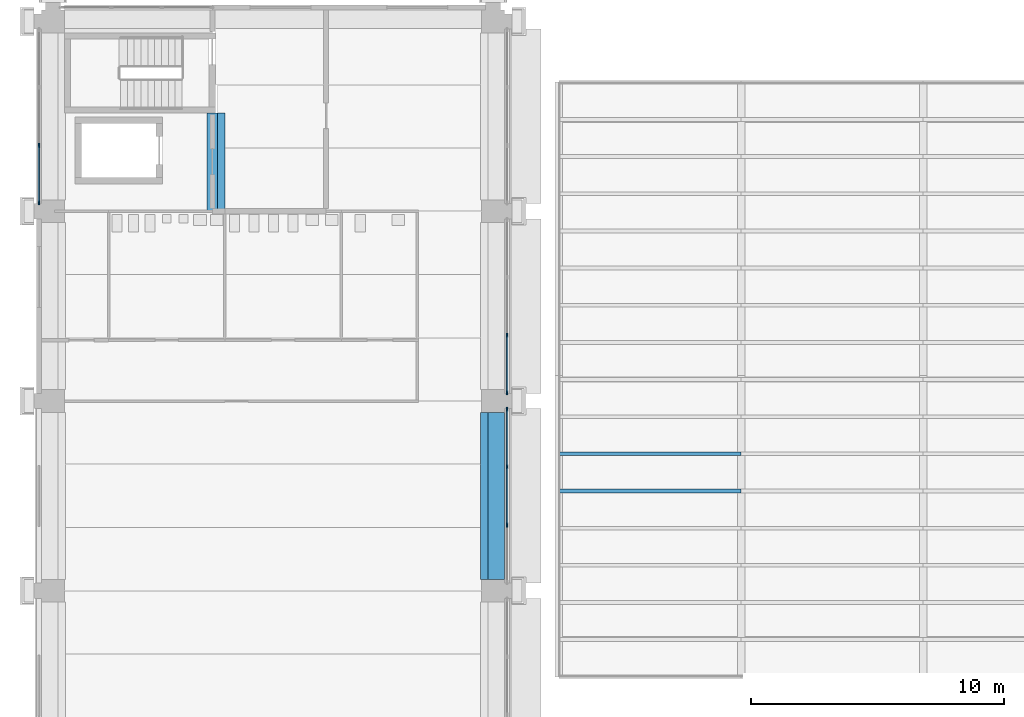
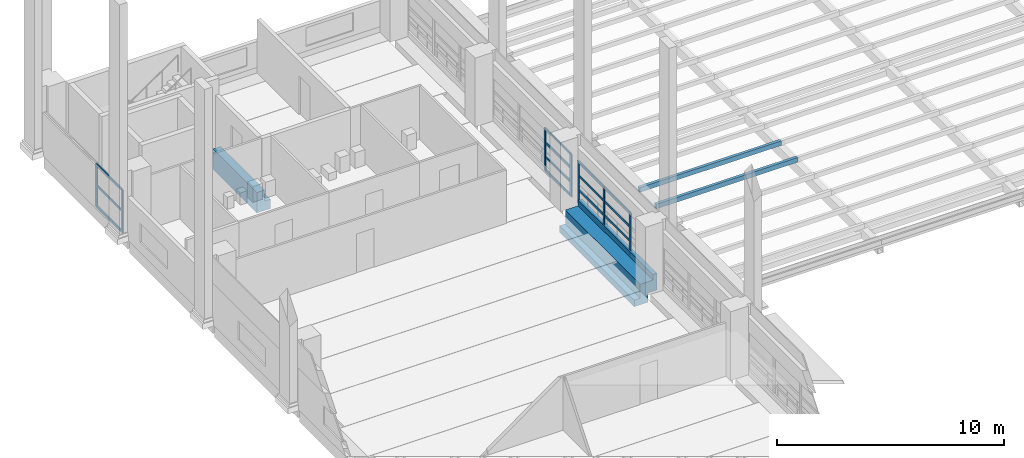
# One storey, part 12 of 67: 24 members, 2 beams, 3 elements without a shape of their own.
"""IFC4 building model written with IfcOpenShell, lengths in metres."""

from ifc_helpers import new_model, si_unit, direction, frame, origin, origin_2d, place, context, subcontext, project, spatial, polyline, rectangle, hollow_rectangle, outline, extrude, material, layer, layer_set, material_profile, profile_set, type_object, element, aggregate, save


model = new_model("IFC4")

# Units and contexts
model_context = context("Model", 3, precision=1e-05, world=origin(), true_north=direction((0.0, 1.0)))
body_context = subcontext(model_context, "Body", "Model", "MODEL_VIEW")
ifc_project = project(units=[si_unit("LENGTHUNIT", "METRE"), si_unit("AREAUNIT", "SQUARE_METRE"), si_unit("VOLUMEUNIT", "CUBIC_METRE"), si_unit("PLANEANGLEUNIT", "RADIAN"), si_unit("MASSUNIT", "GRAM", prefix="KILO")], contexts=[model_context])

# Site, building, storey
site_placement = place(None, origin())
site = spatial("IfcSite", under=ifc_project, at=site_placement, CompositionType="ELEMENT")
building_placement = place(site_placement, origin())
building = spatial("IfcBuilding", under=site, at=building_placement, Name="Cour d'Honneur Mobility Palace", CompositionType="ELEMENT")
storey_placement = place(building_placement, frame((0.0, 0.0, 4.5)))
storey = spatial("IfcBuildingStorey", under=building, at=storey_placement, Name="L01", CompositionType="ELEMENT", Elevation=4.5)

# Members
ifc_material_1 = material(Name="Steel S355", Category="steel")
ifc_material_profile_1 = material_profile(ifc_material_1, hollow_rectangle(XDim=0.14990234375, YDim=0.25, WallThickness=0.010009765625, at=origin_2d()), Name="RHS 250x150x10")
ifc_profile_set_1 = profile_set([ifc_material_profile_1], Name="Steel S355")
member_type_1 = type_object("IfcMemberType", Name="Canopy purlin RHS 250x150x10", PredefinedType="PURLIN", material=ifc_profile_set_1)
for number, where, z_axis, x_axis, name in (
    (1, (20.0, 96.34375, 1.125), (1.0, 0.0, 0.0), (0.0, 1.0, 0.0), "Canopy purlin FCP-W6.1"),
    (2, (20.0, 97.8125, 1.125), (1.0, 0.0, 0.0), (0.0, 1.0, 0.0), "Canopy purlin FCP-W7.1"),
):
    element("IfcMember", number, at=place(storey_placement, frame(where, z_axis=z_axis, x_axis=x_axis)), inside=storey, type_object=member_type_1, Name=name, PredefinedType="PURLIN", context=body_context, shape_type="SweptSolid", body=[
        extrude(hollow_rectangle(XDim=0.14990234375, YDim=0.25, WallThickness=0.010009765625, at=origin_2d()), origin(), (0.0, 0.0, 1.0), 7.199951171875),
    ])

# Curtain wall, members
ifc_material_2 = material(Name="Aluminium and glass", Category="aluminium")
ifc_layer = layer(ifc_material_2, 0.10009765625)
ifc_layer_set = layer_set([ifc_layer], Name="Aluminium and glass")
curtain_wall_type = type_object("IfcCurtainWallType", Name="Curtain wall run", PredefinedType="NOTDEFINED", material=ifc_layer_set)
curtain_wall_1_placement = place(storey_placement, origin())
curtain_wall_1 = element("IfcCurtainWall", 3, at=curtain_wall_1_placement, inside=storey, type_object=curtain_wall_type, Name="Curtain wall CW-20", PredefinedType="NOTDEFINED")
ifc_material_3 = material(Name="Aluminium", Category="aluminium")
ifc_material_profile_2 = material_profile(ifc_material_3, rectangle(XDim=0.06005859375, YDim=0.159912109375, at=origin_2d()), Name="Curtain wall mullion")
ifc_profile_set_2 = profile_set([ifc_material_profile_2], Name="Aluminium")
member_type_2 = type_object("IfcMemberType", Name="Curtain wall mullion", PredefinedType="MULLION", material=ifc_profile_set_2)
member_1_placement = place(storey_placement, frame((17.949951171875, 95.0, 0.0), z_axis=(0.0, 0.0, 1.0), x_axis=(-1.0, 0.0, 0.0)))
member_1 = element("IfcMember", 4, at=member_1_placement, type_object=member_type_2, Name="CW-20 mullion 2", PredefinedType="MULLION", context=body_context, shape_type="SweptSolid", body=[
    extrude(rectangle(XDim=0.06005859375, YDim=0.159912109375, at=origin_2d()), origin(), (0.0, 0.0, 1.0), 2.300048828125),
])
member_2_placement = place(storey_placement, frame((17.949951171875, 97.300048828125, 0.0), z_axis=(0.0, 0.0, 1.0), x_axis=(-1.0, 0.0, 0.0)))
member_2 = element("IfcMember", 5, at=member_2_placement, type_object=member_type_2, Name="CW-20 mullion 3", PredefinedType="MULLION", context=body_context, shape_type="SweptSolid", body=[
    extrude(rectangle(XDim=0.06005859375, YDim=0.159912109375, at=origin_2d()), origin(), (0.0, 0.0, 1.0), 2.300048828125),
])
member_3_placement = place(storey_placement, frame((17.949951171875, 99.570068359375, 0.0), z_axis=(0.0, 0.0, 1.0), x_axis=(-1.0, 0.0, 0.0)))
member_3 = element("IfcMember", 6, at=member_3_placement, type_object=member_type_2, Name="CW-20 mullion 4", PredefinedType="MULLION", context=body_context, shape_type="SweptSolid", body=[
    extrude(rectangle(XDim=0.06005859375, YDim=0.159912109375, at=origin_2d()), origin(), (0.0, 0.0, 1.0), 2.300048828125),
])

curtain_wall_2_placement = place(storey_placement, origin())
curtain_wall_2 = element("IfcCurtainWall", 7, at=curtain_wall_2_placement, inside=storey, type_object=curtain_wall_type, Name="Curtain wall CW-21", PredefinedType="NOTDEFINED")
member_4_placement = place(storey_placement, frame((17.949951171875, 100.22998046875, 0.0), z_axis=(0.0, 0.0, 1.0), x_axis=(-1.0, 0.0, 0.0)))
member_4 = element("IfcMember", 8, at=member_4_placement, type_object=member_type_2, Name="CW-21 mullion 1", PredefinedType="MULLION", context=body_context, shape_type="SweptSolid", body=[
    extrude(rectangle(XDim=0.06005859375, YDim=0.159912109375, at=origin_2d()), origin(), (0.0, 0.0, 1.0), 2.300048828125),
])
member_5_placement = place(storey_placement, frame((17.949951171875, 102.5, 0.0), z_axis=(0.0, 0.0, 1.0), x_axis=(-1.0, 0.0, 0.0)))
member_5 = element("IfcMember", 9, at=member_5_placement, type_object=member_type_2, Name="CW-21 mullion 2", PredefinedType="MULLION", context=body_context, shape_type="SweptSolid", body=[
    extrude(rectangle(XDim=0.06005859375, YDim=0.159912109375, at=origin_2d()), origin(), (0.0, 0.0, 1.0), 2.300048828125),
])

curtain_wall_3_placement = place(storey_placement, origin())
curtain_wall_3 = element("IfcCurtainWall", 10, at=curtain_wall_3_placement, inside=storey, type_object=curtain_wall_type, Name="Curtain wall CW-125", PredefinedType="NOTDEFINED")
member_6_placement = place(storey_placement, frame((-0.550048828125, 110.0, 0.0), z_axis=(0.0, 0.0, 1.0), x_axis=(1.0, 0.0, 0.0)))
member_6 = element("IfcMember", 11, at=member_6_placement, type_object=member_type_2, Name="CW-125 mullion 3", PredefinedType="MULLION", context=body_context, shape_type="SweptSolid", body=[
    extrude(rectangle(XDim=0.06005859375, YDim=0.159912109375, at=origin_2d()), origin(), (0.0, 0.0, 1.0), 2.300048828125),
])
member_7_placement = place(storey_placement, frame((-0.550048828125, 107.72998046875, 0.0), z_axis=(0.0, 0.0, 1.0), x_axis=(1.0, 0.0, 0.0)))
member_7 = element("IfcMember", 12, at=member_7_placement, type_object=member_type_2, Name="CW-125 mullion 4", PredefinedType="MULLION", context=body_context, shape_type="SweptSolid", body=[
    extrude(rectangle(XDim=0.06005859375, YDim=0.159912109375, at=origin_2d()), origin(), (0.0, 0.0, 1.0), 2.300048828125),
])

# Member
ifc_material_4 = material(Name="Aluminium", Category="aluminium")
ifc_material_profile_3 = material_profile(ifc_material_4, rectangle(XDim=0.06005859375, YDim=0.1201171875, at=origin_2d()), Name="Curtain wall transom")
ifc_profile_set_3 = profile_set([ifc_material_profile_3], Name="Aluminium")
member_type_3 = type_object("IfcMemberType", Name="Curtain wall transom", PredefinedType="USERDEFINED", material=ifc_profile_set_3)
member_8_placement = place(storey_placement, frame((17.949951171875, 95.030029296875, 0.030029296875), z_axis=(0.0, 1.0, 0.0), x_axis=(-1.0, 0.0, 0.0)))
member_8 = element("IfcMember", 13, at=member_8_placement, type_object=member_type_3, Name="CW-20 transom 2.1", ObjectType="TRANSOM", PredefinedType="USERDEFINED", context=body_context, shape_type="SweptSolid", body=[
    extrude(rectangle(XDim=0.06005859375, YDim=0.1201171875, at=origin_2d()), origin(), (0.0, 0.0, 1.0), 2.239990234375),
])

member_9_placement = place(storey_placement, frame((17.949951171875, 95.030029296875, 0.7666015625), z_axis=(0.0, 1.0, 0.0), x_axis=(-1.0, 0.0, 0.0)))
member_9 = element("IfcMember", 14, at=member_9_placement, type_object=member_type_3, Name="CW-20 transom 2.2", ObjectType="TRANSOM", PredefinedType="USERDEFINED", context=body_context, shape_type="SweptSolid", body=[
    extrude(rectangle(XDim=0.06005859375, YDim=0.1201171875, at=origin_2d()), origin(), (0.0, 0.0, 1.0), 2.239990234375),
])

member_10_placement = place(storey_placement, frame((17.949951171875, 95.030029296875, 1.533447265625), z_axis=(0.0, 1.0, 0.0), x_axis=(-1.0, 0.0, 0.0)))
member_10 = element("IfcMember", 15, at=member_10_placement, type_object=member_type_3, Name="CW-20 transom 2.3", ObjectType="TRANSOM", PredefinedType="USERDEFINED", context=body_context, shape_type="SweptSolid", body=[
    extrude(rectangle(XDim=0.06005859375, YDim=0.1201171875, at=origin_2d()), origin(), (0.0, 0.0, 1.0), 2.239990234375),
])

member_11_placement = place(storey_placement, frame((17.949951171875, 95.030029296875, 2.27001953125), z_axis=(0.0, 1.0, 0.0), x_axis=(-1.0, 0.0, 0.0)))
member_11 = element("IfcMember", 16, at=member_11_placement, type_object=member_type_3, Name="CW-20 transom 2.4", ObjectType="TRANSOM", PredefinedType="USERDEFINED", context=body_context, shape_type="SweptSolid", body=[
    extrude(rectangle(XDim=0.06005859375, YDim=0.1201171875, at=origin_2d()), origin(), (0.0, 0.0, 1.0), 2.239990234375),
])

member_12_placement = place(storey_placement, frame((17.949951171875, 97.330078125, 0.030029296875), z_axis=(0.0, 1.0, 0.0), x_axis=(-1.0, 0.0, 0.0)))
member_12 = element("IfcMember", 17, at=member_12_placement, type_object=member_type_3, Name="CW-20 transom 3.1", ObjectType="TRANSOM", PredefinedType="USERDEFINED", context=body_context, shape_type="SweptSolid", body=[
    extrude(rectangle(XDim=0.06005859375, YDim=0.1201171875, at=origin_2d()), origin(), (0.0, 0.0, 1.0), 2.2099609375),
])

member_13_placement = place(storey_placement, frame((17.949951171875, 97.330078125, 0.7666015625), z_axis=(0.0, 1.0, 0.0), x_axis=(-1.0, 0.0, 0.0)))
member_13 = element("IfcMember", 18, at=member_13_placement, type_object=member_type_3, Name="CW-20 transom 3.2", ObjectType="TRANSOM", PredefinedType="USERDEFINED", context=body_context, shape_type="SweptSolid", body=[
    extrude(rectangle(XDim=0.06005859375, YDim=0.1201171875, at=origin_2d()), origin(), (0.0, 0.0, 1.0), 2.2099609375),
])

member_14_placement = place(storey_placement, frame((17.949951171875, 97.330078125, 1.533447265625), z_axis=(0.0, 1.0, 0.0), x_axis=(-1.0, 0.0, 0.0)))
member_14 = element("IfcMember", 19, at=member_14_placement, type_object=member_type_3, Name="CW-20 transom 3.3", ObjectType="TRANSOM", PredefinedType="USERDEFINED", context=body_context, shape_type="SweptSolid", body=[
    extrude(rectangle(XDim=0.06005859375, YDim=0.1201171875, at=origin_2d()), origin(), (0.0, 0.0, 1.0), 2.2099609375),
])

member_15_placement = place(storey_placement, frame((17.949951171875, 97.330078125, 2.27001953125), z_axis=(0.0, 1.0, 0.0), x_axis=(-1.0, 0.0, 0.0)))
member_15 = element("IfcMember", 20, at=member_15_placement, type_object=member_type_3, Name="CW-20 transom 3.4", ObjectType="TRANSOM", PredefinedType="USERDEFINED", context=body_context, shape_type="SweptSolid", body=[
    extrude(rectangle(XDim=0.06005859375, YDim=0.1201171875, at=origin_2d()), origin(), (0.0, 0.0, 1.0), 2.2099609375),
])

aggregate(curtain_wall_1, [member_1, member_2, member_3, member_8, member_9, member_10, member_11, member_12, member_13, member_14, member_15])

member_16_placement = place(storey_placement, frame((17.949951171875, 100.260009765625, 0.030029296875), z_axis=(0.0, 1.0, 0.0), x_axis=(-1.0, 0.0, 0.0)))
member_16 = element("IfcMember", 21, at=member_16_placement, type_object=member_type_3, Name="CW-21 transom 1.1", ObjectType="TRANSOM", PredefinedType="USERDEFINED", context=body_context, shape_type="SweptSolid", body=[
    extrude(rectangle(XDim=0.06005859375, YDim=0.1201171875, at=origin_2d()), origin(), (0.0, 0.0, 1.0), 2.2099609375),
])

member_17_placement = place(storey_placement, frame((17.949951171875, 100.260009765625, 0.7666015625), z_axis=(0.0, 1.0, 0.0), x_axis=(-1.0, 0.0, 0.0)))
member_17 = element("IfcMember", 22, at=member_17_placement, type_object=member_type_3, Name="CW-21 transom 1.2", ObjectType="TRANSOM", PredefinedType="USERDEFINED", context=body_context, shape_type="SweptSolid", body=[
    extrude(rectangle(XDim=0.06005859375, YDim=0.1201171875, at=origin_2d()), origin(), (0.0, 0.0, 1.0), 2.2099609375),
])

member_18_placement = place(storey_placement, frame((17.949951171875, 100.260009765625, 1.533447265625), z_axis=(0.0, 1.0, 0.0), x_axis=(-1.0, 0.0, 0.0)))
member_18 = element("IfcMember", 23, at=member_18_placement, type_object=member_type_3, Name="CW-21 transom 1.3", ObjectType="TRANSOM", PredefinedType="USERDEFINED", context=body_context, shape_type="SweptSolid", body=[
    extrude(rectangle(XDim=0.06005859375, YDim=0.1201171875, at=origin_2d()), origin(), (0.0, 0.0, 1.0), 2.2099609375),
])

member_19_placement = place(storey_placement, frame((17.949951171875, 100.260009765625, 2.27001953125), z_axis=(0.0, 1.0, 0.0), x_axis=(-1.0, 0.0, 0.0)))
member_19 = element("IfcMember", 24, at=member_19_placement, type_object=member_type_3, Name="CW-21 transom 1.4", ObjectType="TRANSOM", PredefinedType="USERDEFINED", context=body_context, shape_type="SweptSolid", body=[
    extrude(rectangle(XDim=0.06005859375, YDim=0.1201171875, at=origin_2d()), origin(), (0.0, 0.0, 1.0), 2.2099609375),
])

aggregate(curtain_wall_2, [member_4, member_5, member_16, member_17, member_18, member_19])

member_20_placement = place(storey_placement, frame((-0.550048828125, 109.969970703125, 0.030029296875), z_axis=(0.0, -1.0, 0.0), x_axis=(1.0, 0.0, 0.0)))
member_20 = element("IfcMember", 25, at=member_20_placement, type_object=member_type_3, Name="CW-125 transom 3.1", ObjectType="TRANSOM", PredefinedType="USERDEFINED", context=body_context, shape_type="SweptSolid", body=[
    extrude(rectangle(XDim=0.06005859375, YDim=0.1201171875, at=origin_2d()), origin(), (0.0, 0.0, 1.0), 2.2099609375),
])

member_21_placement = place(storey_placement, frame((-0.550048828125, 109.969970703125, 1.14990234375), z_axis=(0.0, -1.0, 0.0), x_axis=(1.0, 0.0, 0.0)))
member_21 = element("IfcMember", 26, at=member_21_placement, type_object=member_type_3, Name="CW-125 transom 3.2", ObjectType="TRANSOM", PredefinedType="USERDEFINED", context=body_context, shape_type="SweptSolid", body=[
    extrude(rectangle(XDim=0.06005859375, YDim=0.1201171875, at=origin_2d()), origin(), (0.0, 0.0, 1.0), 2.2099609375),
])

member_22_placement = place(storey_placement, frame((-0.550048828125, 109.969970703125, 2.27001953125), z_axis=(0.0, -1.0, 0.0), x_axis=(1.0, 0.0, 0.0)))
member_22 = element("IfcMember", 27, at=member_22_placement, type_object=member_type_3, Name="CW-125 transom 3.3", ObjectType="TRANSOM", PredefinedType="USERDEFINED", context=body_context, shape_type="SweptSolid", body=[
    extrude(rectangle(XDim=0.06005859375, YDim=0.1201171875, at=origin_2d()), origin(), (0.0, 0.0, 1.0), 2.2099609375),
])

aggregate(curtain_wall_3, [member_6, member_7, member_20, member_21, member_22])

# Beams
ifc_material_5 = material(Name="Concrete C45", Category="concrete")
ifc_material_profile_4 = material_profile(ifc_material_5, outline(polyline([(0.5, -1.10009765625), (0.5, -0.75), (0.199951171875, -0.75), (0.199951171875, 0.0), (-0.199951171875, 0.0), (-0.449951171875, 0.0), (-0.449951171875, 0.300048828125), (-0.64990234375, 0.300048828125), (-0.64990234375, -0.60009765625), (-0.199951171875, -0.60009765625), (-0.199951171875, -1.10009765625), (0.5, -1.10009765625)])), Name="Ledger Beam 400x1100 ledge left 350 facade right")
ifc_profile_set_4 = profile_set([ifc_material_profile_4], Name="Concrete C45")
beam_type_1 = type_object("IfcBeamType", Name="Ledger Beam 400x1100 ledge left 350 facade right", PredefinedType="BEAM", material=ifc_profile_set_4)
beam_1_placement = place(storey_placement, frame((17.39990234375, 92.85009765625, 0.0), z_axis=(0.0, 1.0, 0.0), x_axis=(-1.0, 0.0, 0.0)))
element("IfcBeam", 28, at=beam_1_placement, inside=storey, type_object=beam_type_1, Name="Precast beam B2 M-N L01", PredefinedType="BEAM", context=body_context, shape_type="SweptSolid", body=[
    extrude(outline(polyline([(0.5, -1.10009765625), (0.5, -0.75), (0.199951171875, -0.75), (0.199951171875, 0.0), (-0.199951171875, 0.0), (-0.449951171875, 0.0), (-0.449951171875, 0.300048828125), (-0.64990234375, 0.300048828125), (-0.64990234375, -0.60009765625), (-0.199951171875, -0.60009765625), (-0.199951171875, -1.10009765625), (0.5, -1.10009765625)])), origin(), (0.0, 0.0, 1.0), 6.599853515625),
])
ifc_material_6 = material(Name="Concrete C45", Category="concrete")
ifc_material_profile_5 = material_profile(ifc_material_6, outline(polyline([(0.199951171875, -1.10009765625), (0.199951171875, 0.0), (-0.199951171875, 0.0), (-0.199951171875, -0.60009765625), (-0.5, -0.60009765625), (-0.5, -1.10009765625), (0.199951171875, -1.10009765625)])), Name="Ledger Beam 400x1100 ledge right 500 plain")
ifc_profile_set_5 = profile_set([ifc_material_profile_5], Name="Concrete C45")
beam_type_2 = type_object("IfcBeamType", Name="Ledger Beam 400x1100 ledge right 500 plain", PredefinedType="BEAM", material=ifc_profile_set_5)
beam_2_placement = place(storey_placement, frame((6.300048828125, 107.39990234375, 0.0), z_axis=(0.0, 1.0, 0.0), x_axis=(-1.0, 0.0, 0.0)))
element("IfcBeam", 29, at=beam_2_placement, inside=storey, type_object=beam_type_2, Name="Precast beam B9 P- L01", PredefinedType="BEAM", context=body_context, shape_type="SweptSolid", body=[
    extrude(outline(polyline([(0.199951171875, -1.10009765625), (0.199951171875, 0.0), (-0.199951171875, 0.0), (-0.199951171875, -0.60009765625), (-0.5, -0.60009765625), (-0.5, -1.10009765625), (0.199951171875, -1.10009765625)])), origin(), (0.0, 0.0, 1.0), 3.875),
])

save(model, "model.ifc")
